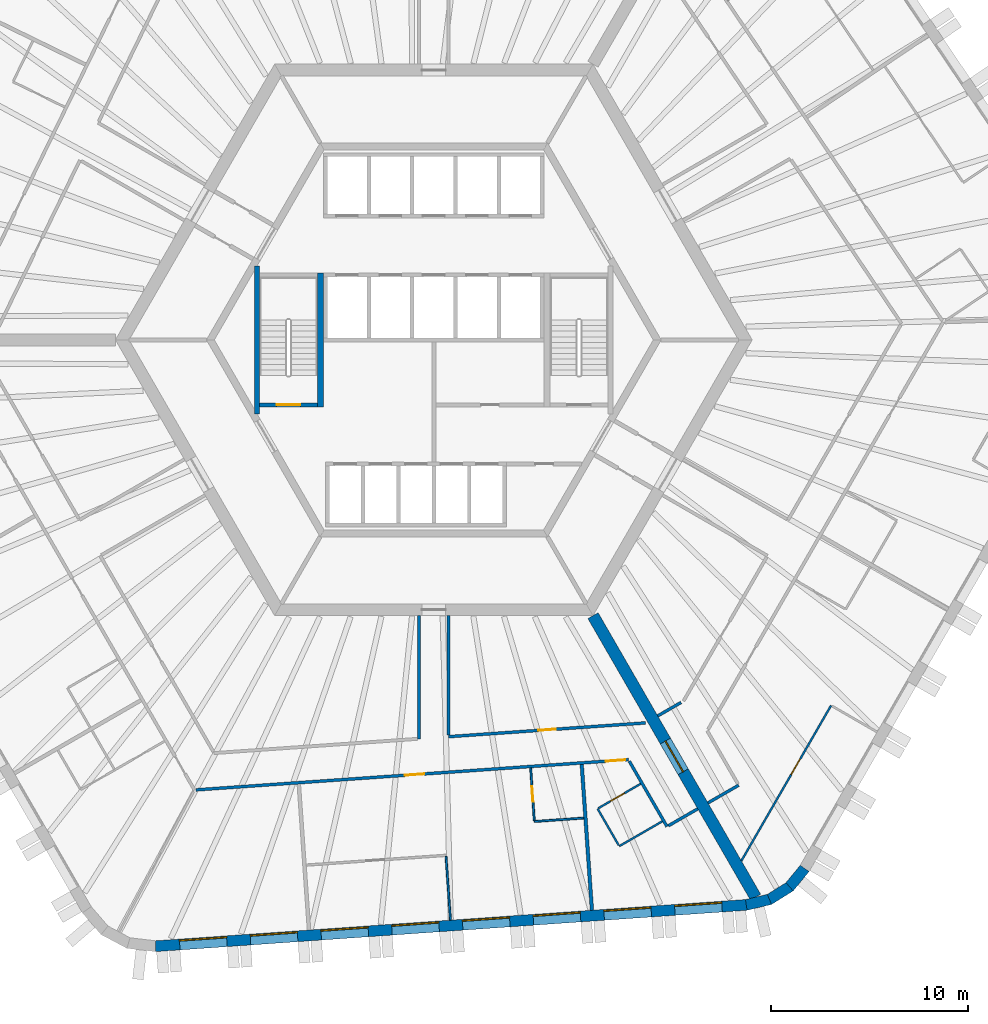
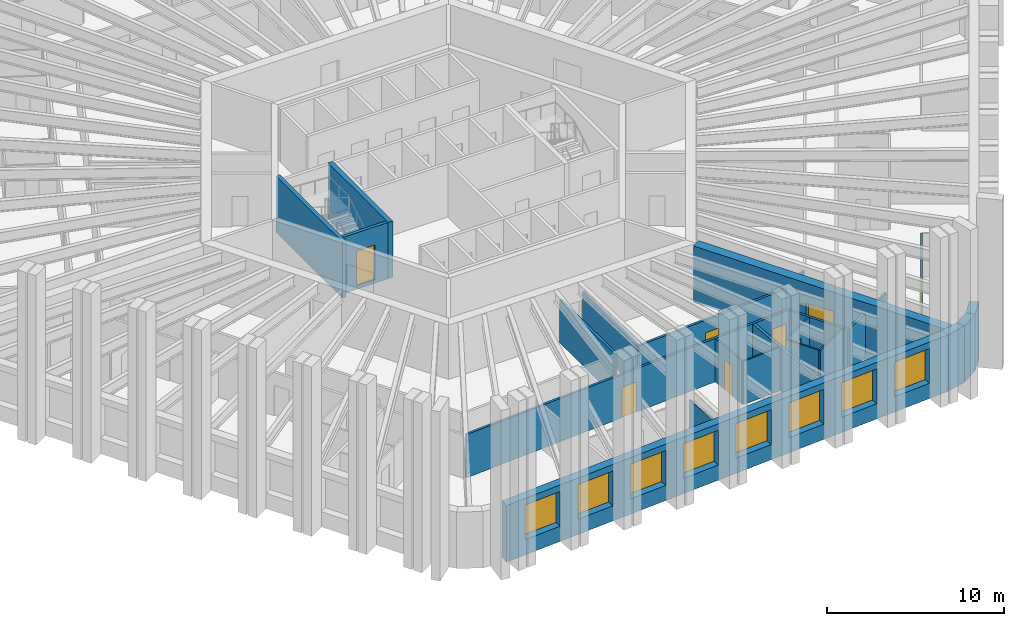
# One storey, part 4 of 13: 24 walls, 8 doors, 8 windows, 16 openings.
"""IFC4 building model written with IfcOpenShell, lengths in metres."""

import ifcopenshell
import ifcopenshell.guid

model = None  # the IFC model being written
_history = None  # IfcOwnerHistory: only IFC2X3 demands one
_inside = {}  # id of a spatial element -> (the spatial element, [elements in it])
_under = {}  # id of a project, library or spatial element -> (it, [spatial elements below it])
_declared = {}  # id of a project -> (the project, [libraries it declares])
_typed = {}  # id of a type object -> (the type object, [elements of that type])
_made_of = {}  # id of a material, layer set ... -> (it, [elements and type objects made of it])


def new_model(schema):
    """Start an empty IFC model of exactly this schema.

    Asked for "IFC4X3", IfcOpenShell would pick the latest addendum, in which some entities
    have other attributes; the version numbers below select the first issue.
    IFC2X3 requires an IfcOwnerHistory on every rooted entity: one is made here for all.
    """
    global model, _history
    if schema == "IFC4X3":
        model = ifcopenshell.file(schema_version=(4, 3, 0, 0))
    else:
        model = ifcopenshell.file(schema=schema)
    _inside.clear()
    _under.clear()
    _declared.clear()
    _typed.clear()
    _made_of.clear()
    _history = None
    if model.schema == "IFC2X3":
        org = make("IfcOrganization", Name="unknown")
        user = make(
            "IfcPersonAndOrganization",
            ThePerson=make("IfcPerson", FamilyName="unknown"),
            TheOrganization=org,
        )
        app = make(
            "IfcApplication",
            ApplicationDeveloper=org,
            Version="unknown",
            ApplicationFullName="unknown",
            ApplicationIdentifier="unknown",
        )
        _history = make(
            "IfcOwnerHistory",
            OwningUser=user,
            OwningApplication=app,
            ChangeAction="ADDED",
            CreationDate=0,
        )
    return model


def make(cls, **values):
    """One entity of the class cls with the attributes given. An attribute that is None is left unset."""
    return model.create_entity(
        cls, **{name: value for name, value in values.items() if value is not None}
    )


def rooted(cls, **values):
    """An entity with a GlobalId (a new one), such as an element, a storey or a relation."""
    return make(cls, GlobalId=ifcopenshell.guid.new(), OwnerHistory=_history, **values)


def si_unit(unit_type, name, prefix=None):
    """IfcSIUnit, for example si_unit("LENGTHUNIT", "METRE", prefix="MILLI")."""
    return make("IfcSIUnit", UnitType=unit_type, Prefix=prefix, Name=name)


def assignment(units):
    """IfcUnitAssignment: the units of a project."""
    return None if units is None else make("IfcUnitAssignment", Units=units)


def point(xyz):
    """IfcCartesianPoint."""
    return None if xyz is None else make("IfcCartesianPoint", Coordinates=xyz)


def direction(xyz):
    """IfcDirection."""
    return None if xyz is None else make("IfcDirection", DirectionRatios=xyz)


def frame(location, z_axis=None, x_axis=None):
    """IfcAxis2Placement3D, a coordinate frame: its origin and axes. An axis left out is left unset."""
    return make(
        "IfcAxis2Placement3D",
        Location=point(location),
        Axis=direction(z_axis),
        RefDirection=direction(x_axis),
    )


def frame_2d(location, x_axis=None):
    """IfcAxis2Placement2D, a coordinate frame in the plane: its origin and x axis."""
    return make(
        "IfcAxis2Placement2D", Location=point(location), RefDirection=direction(x_axis)
    )


def origin():
    """The frame at (0, 0, 0) with its axes left unset."""
    return frame((0.0, 0.0, 0.0))


def place(relative_to, where):
    """IfcLocalPlacement: puts the frame where relative to a parent placement (None: the world)."""
    return make(
        "IfcLocalPlacement", PlacementRelTo=relative_to, RelativePlacement=where
    )


def context(
    kind, dimensions, precision=None, world=None, true_north=None, identifier=None
):
    """IfcGeometricRepresentationContext, for example the 3D "Model" context."""
    return make(
        "IfcGeometricRepresentationContext",
        ContextIdentifier=identifier,
        ContextType=kind,
        CoordinateSpaceDimension=dimensions,
        Precision=precision,
        WorldCoordinateSystem=world,
        TrueNorth=true_north,
    )


def subcontext(parent, identifier, kind, view, scale=None):
    """IfcGeometricRepresentationSubContext, for example "Body" below "Model"."""
    return make(
        "IfcGeometricRepresentationSubContext",
        ContextIdentifier=identifier,
        ContextType=kind,
        ParentContext=parent,
        TargetScale=scale,
        TargetView=view,
    )


def project(units=None, contexts=None):
    """IfcProject with its units and contexts."""
    return rooted(
        "IfcProject",
        Name="project",
        RepresentationContexts=contexts,
        UnitsInContext=assignment(units),
    )


def spatial(cls, under=None, at=None, **own):
    """A site, building, storey or space (cls), placed at a placement, below another one or the project."""
    s = rooted(cls, ObjectPlacement=at, **own)
    if under is not None:
        _under.setdefault(under.id(), (under, []))[1].append(s)
    return s


def polyline(points):
    """IfcPolyline through the points."""
    return make("IfcPolyline", Points=[point(p) for p in points])


def profile(cls, at=None, kind="AREA", **sizes):
    """A parametric profile (cls). Its sizes go by their IFC names, for example OverallWidth=200.0."""
    return make(cls, ProfileType=kind, Position=at, **sizes)


def rectangle(**sizes):
    """IfcRectangleProfileDef."""
    return profile("IfcRectangleProfileDef", **sizes)


def outline(outer, holes=None, kind="AREA"):
    """IfcArbitraryClosedProfileDef: a profile drawn as a closed curve; with holes, ...WithVoids."""
    if holes is None:
        return make("IfcArbitraryClosedProfileDef", ProfileType=kind, OuterCurve=outer)
    return make(
        "IfcArbitraryProfileDefWithVoids",
        ProfileType=kind,
        OuterCurve=outer,
        InnerCurves=holes,
    )


def extrude(swept, where, along, depth):
    """IfcExtrudedAreaSolid: the profile swept, set in the frame where, extruded along a direction by depth."""
    return make(
        "IfcExtrudedAreaSolid",
        SweptArea=swept,
        Position=where,
        ExtrudedDirection=direction(along),
        Depth=depth,
    )


def shape(context_of_items, identifier, shape_type, items):
    """IfcShapeRepresentation: the items that make up one representation, for example the "Body"."""
    return make(
        "IfcShapeRepresentation",
        ContextOfItems=context_of_items,
        RepresentationIdentifier=identifier,
        RepresentationType=shape_type,
        Items=items,
    )


def material(Name=None, Category=None):
    """IfcMaterial."""
    return make("IfcMaterial", Name=Name, Category=Category)


def layer(
    of_material, thickness, ventilated=None, Name=None, Category=None, Priority=None
):
    """IfcMaterialLayer: one layer of a wall or slab, of a material (None: an air gap)."""
    return make(
        "IfcMaterialLayer",
        Material=of_material,
        LayerThickness=thickness,
        IsVentilated=ventilated,
        Name=Name,
        Category=Category,
        Priority=Priority,
    )


def layer_set(layers, Name=None):
    """IfcMaterialLayerSet."""
    return make("IfcMaterialLayerSet", MaterialLayers=layers, LayerSetName=Name)


def made_of(thing, what):
    """Note that an element or type object is made of a material, layer set ...; save() writes the relation."""
    if what is not None:
        _made_of.setdefault(what.id(), (what, []))[1].append(thing)
    return thing


def type_object(cls, material=None, **own):
    """A type object (cls), such as IfcWallType, which elements share."""
    return made_of(rooted(cls, **own), material)


def element(
    cls,
    number,
    at=None,
    inside=None,
    cuts=None,
    type_object=None,
    material=None,
    context=None,
    identifier="Body",
    shape_type=None,
    held_by="IfcProductDefinitionShape",
    body=None,
    shapes=None,
    **own,
):
    """One element of the class cls, such as IfcWall. Its Tag is "e" and its number.

    at: its placement. inside: the storey or other place that contains it. cuts: it is an
    opening in that element (IfcRelVoidsElement). A single representation is given by context,
    identifier, shape_type and body (its items); several are given by shapes. held_by: the class
    of the entity that holds the representations. save() writes the other relations.
    """
    e = rooted(cls, Tag="e%d" % number, ObjectPlacement=at, **own)
    if body is not None:
        shapes = [shape(context, identifier, shape_type, body)]
    if shapes is not None:
        e.Representation = make(held_by, Representations=shapes)
    if inside is not None:
        _inside.setdefault(inside.id(), (inside, []))[1].append(e)
    if cuts is not None:
        rooted(
            "IfcRelVoidsElement", RelatingBuildingElement=cuts, RelatedOpeningElement=e
        )
    if type_object is not None:
        _typed.setdefault(type_object.id(), (type_object, []))[1].append(e)
    return made_of(e, material)


def fill(opening, filler):
    """IfcRelFillsElement: the door or window that sits in an opening."""
    return rooted(
        "IfcRelFillsElement",
        RelatingOpeningElement=opening,
        RelatedBuildingElement=filler,
    )


def aggregate(whole, parts):
    """IfcRelAggregates: a whole, such as a stair, and the parts it consists of."""
    return rooted("IfcRelAggregates", RelatingObject=whole, RelatedObjects=parts)


def save(model, path):
    """Write the relations noted so far, then the file.

    IfcRelAggregates (storeys below a building ...), IfcRelContainedInSpatialStructure (elements
    in a storey), IfcRelDefinesByType, IfcRelAssociatesMaterial and IfcRelDeclares: one each for
    every whole, place, type object, material and project.
    """
    for whole, parts in _under.values():
        aggregate(whole, parts)
    for where, things in _inside.values():
        rooted(
            "IfcRelContainedInSpatialStructure",
            RelatedElements=things,
            RelatingStructure=where,
        )
    for kind, things in _typed.values():
        rooted("IfcRelDefinesByType", RelatedObjects=things, RelatingType=kind)
    for what, things in _made_of.values():
        rooted("IfcRelAssociatesMaterial", RelatedObjects=things, RelatingMaterial=what)
    for by, libraries in _declared.values():
        rooted("IfcRelDeclares", RelatingContext=by, RelatedDefinitions=libraries)
    model.write(path)


model = new_model("IFC4")

# Units and contexts
model_context = context("Model", 3, precision=1e-05, world=origin(), true_north=direction((0.0, 1.0)))
body_context = subcontext(model_context, "Body", "Model", "MODEL_VIEW")
ifc_project = project(units=[si_unit("LENGTHUNIT", "METRE"), si_unit("AREAUNIT", "SQUARE_METRE"), si_unit("VOLUMEUNIT", "CUBIC_METRE"), si_unit("PLANEANGLEUNIT", "RADIAN"), si_unit("MASSUNIT", "GRAM", prefix="KILO")], contexts=[model_context])

# Site, building, storey
site_placement = place(None, origin())
site = spatial("IfcSite", under=ifc_project, at=site_placement, CompositionType="ELEMENT")
building_placement = place(site_placement, origin())
building = spatial("IfcBuilding", under=site, at=building_placement, Name="Tarnside Tower", CompositionType="ELEMENT")
storey_placement = place(building_placement, frame((0.0, 0.0, 111.60009765625)))
storey = spatial("IfcBuildingStorey", under=building, at=storey_placement, Name="L25", CompositionType="ELEMENT", Elevation=111.60009765625)

# Wall
ifc_material_1 = material(Name="Gypsum board partition on steel studs", Category="steel")
ifc_layer_1 = layer(ifc_material_1, 0.10009765625)
ifc_layer_set_1 = layer_set([ifc_layer_1], Name="Bathroom wall 100")
wall_type_1 = type_object("IfcWallType", Name="Bathroom wall 100", PredefinedType="PARTITIONING", material=ifc_layer_set_1)
wall_1_placement = place(storey_placement, frame((7.611083984375, -24.2783203125, 0.0), z_axis=(0.0, 0.0, 1.0), x_axis=(-0.997565196586, -0.069740078583, 0.0)))
element("IfcWall", 1, at=wall_1_placement, inside=storey, type_object=wall_type_1, Name="Bathroom wall 08116", PredefinedType="PARTITIONING", context=body_context, shape_type="SweptSolid", body=[
    extrude(rectangle(XDim=2.510009765625, YDim=0.10009765625, at=frame_2d((1.2548828125, 0.0))), origin(), (0.0, 0.0, 1.0), 2.98779296875),
])

# Wall, opening, door
wall_2_placement = place(storey_placement, frame((5.103515625, -24.4033203125, 0.0), z_axis=(0.0, 0.0, 1.0), x_axis=(-0.069729221413, 0.997565955554, 0.0)))
wall_2 = element("IfcWall", 2, at=wall_2_placement, inside=storey, type_object=wall_type_1, Name="Bathroom wall 08117", PredefinedType="PARTITIONING", context=body_context, shape_type="SweptSolid", body=[
    extrude(rectangle(XDim=2.675048828125, YDim=0.10009765625, at=frame_2d((1.33740234375, 0.0))), origin(), (0.0, 0.0, 1.0), 2.98779296875),
])
opening_1_placement = place(wall_2_placement, frame((0.949951171875, 0.0, 0.0)))
opening_1 = element("IfcOpeningElement", 3, at=opening_1_placement, cuts=wall_2, Name="Opening D-B1", PredefinedType="OPENING", context=body_context, shape_type="SweptSolid", body=[
    extrude(rectangle(XDim=0.800048828125, YDim=2.10009765625, at=frame_2d((0.39990234375, 1.050048828125))), frame((0.0, 0.06005859375, 0.0), z_axis=(0.0, -1.0, 0.0), x_axis=(1.0, 0.0, 0.0)), (0.0, 0.0, 1.0), 0.1201171875),
])
ifc_material_2 = material(Name="Timber door leaf", Category="wood")
door_type_1 = type_object("IfcDoorType", Name="Bathroom door 800", OperationType="NOTDEFINED", PredefinedType="DOOR", material=ifc_material_2)
door_1_placement = place(opening_1_placement, origin())
door_1 = element("IfcDoor", 4, at=door_1_placement, inside=storey, type_object=door_type_1, Name="Bathroom door 08024", OperationType="SINGLE_SWING_RIGHT", OverallHeight=2.10009765625, OverallWidth=0.800048828125, PredefinedType="DOOR", context=body_context, shape_type="SweptSolid", body=[
    extrude(rectangle(XDim=0.800048828125, YDim=2.10009765625, at=frame_2d((0.39990234375, 1.050048828125))), frame((0.0, 0.02490234375, 0.0), z_axis=(0.0, -1.0, 0.0), x_axis=(1.0, 0.0, 0.0)), (0.0, 0.0, 1.0), 0.050048828125),
])
fill(opening_1, door_1)

# Walls
wall_3_placement = place(storey_placement, frame((11.6015625, -24.444580078125, 0.0), z_axis=(0.0, 0.0, 1.0), x_axis=(-0.866039067339, -0.499976333282, 0.0)))
element("IfcWall", 5, at=wall_3_placement, inside=storey, type_object=wall_type_1, Name="Bathroom wall 08122", PredefinedType="PARTITIONING", context=body_context, shape_type="SweptSolid", body=[
    extrude(rectangle(XDim=2.52490234375, YDim=0.10009765625, at=frame_2d((1.262451171875, 0.0))), origin(), (0.0, 0.0, 1.0), 2.98779296875),
])
wall_4_placement = place(storey_placement, frame((9.389892578125, -25.66357421875, 0.0), z_axis=(0.0, 0.0, 1.0), x_axis=(-0.500010803666, 0.866019166195, 0.0)))
element("IfcWall", 6, at=wall_4_placement, inside=storey, type_object=wall_type_1, Name="Bathroom wall 08123", PredefinedType="PARTITIONING", context=body_context, shape_type="SweptSolid", body=[
    extrude(rectangle(XDim=2.14990234375, YDim=0.10009765625, at=frame_2d((1.074951171875, 0.0))), origin(), (0.0, 0.0, 1.0), 2.98779296875),
])

# Wall, opening, door
wall_5_placement = place(storey_placement, frame((8.358154296875, -23.776611328125, 0.0), z_axis=(0.0, 0.0, 1.0), x_axis=(0.86604923931, 0.499958713387, 0.0)))
wall_5 = element("IfcWall", 7, at=wall_5_placement, inside=storey, type_object=wall_type_1, Name="Bathroom wall 08124", PredefinedType="PARTITIONING", context=body_context, shape_type="SweptSolid", body=[
    extrude(rectangle(XDim=2.474853515625, YDim=0.10009765625, at=frame_2d((1.2373046875, 0.0))), origin(), (0.0, 0.0, 1.0), 2.98779296875),
])
opening_2_placement = place(wall_5_placement, frame((0.719970703125, 0.0, 0.0)))
opening_2 = element("IfcOpeningElement", 8, at=opening_2_placement, cuts=wall_5, Name="Opening D-B1", PredefinedType="OPENING", context=body_context, shape_type="SweptSolid", body=[
    extrude(rectangle(XDim=0.800048828125, YDim=2.10009765625, at=frame_2d((0.39990234375, 1.050048828125))), frame((0.0, 0.06005859375, 0.0), z_axis=(0.0, -1.0, 0.0), x_axis=(1.0, 0.0, 0.0)), (0.0, 0.0, 1.0), 0.1201171875),
])
door_2_placement = place(opening_2_placement, origin())
door_2 = element("IfcDoor", 9, at=door_2_placement, inside=storey, type_object=door_type_1, Name="Bathroom door 08027", OperationType="SINGLE_SWING_RIGHT", OverallHeight=2.10009765625, OverallWidth=0.800048828125, PredefinedType="DOOR", context=body_context, shape_type="SweptSolid", body=[
    extrude(rectangle(XDim=0.800048828125, YDim=2.10009765625, at=frame_2d((0.39990234375, 1.050048828125))), frame((0.0, 0.02490234375, 0.0), z_axis=(0.0, -1.0, 0.0), x_axis=(1.0, 0.0, 0.0)), (0.0, 0.0, 1.0), 0.050048828125),
])
fill(opening_2, door_2)

ifc_material_3 = material(Name="Concrete C80/95", Category="concrete")
ifc_layer_2 = layer(ifc_material_3, 0.60009765625)
ifc_layer_set_2 = layer_set([ifc_layer_2], Name="Core wall Z1 600 C80/95")
wall_type_2 = type_object("IfcWallType", Name="Core wall Z1 600 C80/95", PredefinedType="SHEAR", material=ifc_layer_set_2)
wall_6_placement = place(storey_placement, frame((8.0830078125, -14.0, -0.150146484375), z_axis=(0.0, 0.0, 1.0), x_axis=(0.499997680643, -0.866026742862, 0.0)))
wall_6 = element("IfcWall", 10, at=wall_6_placement, inside=storey, type_object=wall_type_2, Name="L25 spine wall 3", PredefinedType="SHEAR", context=body_context, shape_type="SweptSolid", body=[
    extrude(rectangle(XDim=16.5087890625, YDim=0.60009765625, at=frame_2d((8.25439453125, 0.0))), origin(), (0.0, 0.0, 1.0), 3.900146484375),
])
opening_3_placement = place(wall_6_placement, frame((7.3544921875, 0.0, 0.14990234375)))
opening_3 = element("IfcOpeningElement", 11, at=opening_3_placement, cuts=wall_6, Name="Opening CD-SPN", PredefinedType="OPENING", context=body_context, shape_type="SweptSolid", body=[
    extrude(rectangle(XDim=1.800048828125, YDim=2.39990234375, at=frame_2d((0.89990234375, 1.199951171875))), frame((0.0, 0.31005859375, 0.0), z_axis=(0.0, -1.0, 0.0), x_axis=(1.0, 0.0, 0.0)), (0.0, 0.0, 1.0), 0.6201171875),
])
ifc_material_4 = material(Name="Steel fire door", Category="steel")
door_type_2 = type_object("IfcDoorType", Name="Spine passage double door FD60 1800x2400", OperationType="NOTDEFINED", PredefinedType="DOOR", material=ifc_material_4)
door_3_placement = place(opening_3_placement, origin())
door_3 = element("IfcDoor", 12, at=door_3_placement, inside=storey, type_object=door_type_2, Name="L25 spine passage door 3", OperationType="DOUBLE_DOOR_SINGLE_SWING", OverallHeight=2.39990234375, OverallWidth=1.800048828125, PredefinedType="DOOR", context=body_context, shape_type="SweptSolid", body=[
    extrude(rectangle(XDim=1.800048828125, YDim=2.39990234375, at=frame_2d((0.89990234375, 1.199951171875))), frame((0.0, 0.02490234375, 0.0), z_axis=(0.0, -1.0, 0.0), x_axis=(1.0, 0.0, 0.0)), (0.0, 0.0, 1.0), 0.050048828125),
])
fill(opening_3, door_3)

# Wall, openings, doors
ifc_layer_3 = layer(ifc_material_1, 0.14990234375)
ifc_layer_set_3 = layer_set([ifc_layer_3], Name="Corridor wall 150 EI 60")
wall_type_3 = type_object("IfcWallType", Name="Corridor wall 150 EI 60", PredefinedType="PARTITIONING", material=ifc_layer_set_3)
wall_7_placement = place(storey_placement, frame((-12.068115234375, -22.847412109375, 0.0), z_axis=(0.0, 0.0, 1.0), x_axis=(0.99756437486, 0.069751831595, 0.0)))
wall_7 = element("IfcWall", 13, at=wall_7_placement, inside=storey, type_object=wall_type_3, Name="Corridor wall 08033", PredefinedType="PARTITIONING", context=body_context, shape_type="SweptSolid", body=[
    extrude(rectangle(XDim=22.001708984375, YDim=0.14990234375, at=frame_2d((11.0009765625, 0.0))), origin(), (0.0, 0.0, 1.0), 2.98779296875),
])
opening_4_placement = place(wall_7_placement, frame((10.621337890625, 0.0, 0.0)))
opening_4 = element("IfcOpeningElement", 14, at=opening_4_placement, cuts=wall_7, Name="Opening D-E1", PredefinedType="OPENING", context=body_context, shape_type="SweptSolid", body=[
    extrude(rectangle(XDim=1.0, YDim=2.10009765625, at=frame_2d((0.5, 1.050048828125))), frame((0.0, 0.0849609375, 0.0), z_axis=(0.0, -1.0, 0.0), x_axis=(1.0, 0.0, 0.0)), (0.0, 0.0, 1.0), 0.169921875),
])
opening_5_placement = place(wall_7_placement, frame((20.851806640625, 0.0, 0.0)))
opening_5 = element("IfcOpeningElement", 15, at=opening_5_placement, cuts=wall_7, Name="Opening D-E1", PredefinedType="OPENING", context=body_context, shape_type="SweptSolid", body=[
    extrude(rectangle(XDim=1.0, YDim=2.10009765625, at=frame_2d((0.5, 1.050048828125))), frame((0.0, 0.0849609375, 0.0), z_axis=(0.0, -1.0, 0.0), x_axis=(1.0, 0.0, 0.0)), (0.0, 0.0, 1.0), 0.169921875),
])
door_type_3 = type_object("IfcDoorType", Name="Unit entrance door 1000 FD30S", OperationType="NOTDEFINED", PredefinedType="DOOR", material=ifc_material_2)
door_4_placement = place(opening_4_placement, origin())
door_4 = element("IfcDoor", 16, at=door_4_placement, inside=storey, type_object=door_type_3, Name="Unit door 08023", OperationType="SINGLE_SWING_RIGHT", OverallHeight=2.10009765625, OverallWidth=1.0, PredefinedType="DOOR", context=body_context, shape_type="SweptSolid", body=[
    extrude(rectangle(XDim=1.0, YDim=2.10009765625, at=frame_2d((0.5, 1.050048828125))), frame((0.0, 0.02490234375, 0.0), z_axis=(0.0, -1.0, 0.0), x_axis=(1.0, 0.0, 0.0)), (0.0, 0.0, 1.0), 0.050048828125),
])
fill(opening_4, door_4)
door_5_placement = place(opening_5_placement, origin())
door_5 = element("IfcDoor", 17, at=door_5_placement, inside=storey, type_object=door_type_3, Name="Unit door 08026", OperationType="SINGLE_SWING_LEFT", OverallHeight=2.10009765625, OverallWidth=1.0, PredefinedType="DOOR", context=body_context, shape_type="SweptSolid", body=[
    extrude(rectangle(XDim=1.0, YDim=2.10009765625, at=frame_2d((0.5, 1.050048828125))), frame((0.0, 0.02490234375, 0.0), z_axis=(0.0, -1.0, 0.0), x_axis=(1.0, 0.0, 0.0)), (0.0, 0.0, 1.0), 0.050048828125),
])
fill(opening_5, door_5)

# Walls
wall_8_placement = place(storey_placement, frame((9.921630859375, -21.385009765625, 0.0), z_axis=(0.0, 0.0, 1.0), x_axis=(0.500023335103, -0.866011930837, 0.0)))
element("IfcWall", 18, at=wall_8_placement, inside=storey, type_object=wall_type_3, Name="Corridor wall 08037", PredefinedType="PARTITIONING", context=body_context, shape_type="SweptSolid", body=[
    extrude(rectangle(XDim=3.839599609375, YDim=0.14990234375, at=frame_2d((1.919921875, 0.0))), origin(), (0.0, 0.0, 1.0), 2.98779296875),
])
wall_9_placement = place(storey_placement, frame((11.906494140625, -24.672607421875, 0.0), z_axis=(0.0, 0.0, 1.0), x_axis=(0.866013532718, 0.500020560727, 0.0)))
element("IfcWall", 19, at=wall_9_placement, inside=storey, type_object=wall_type_3, Name="Corridor wall 08039", PredefinedType="PARTITIONING", context=body_context, shape_type="SweptSolid", body=[
    extrude(rectangle(XDim=1.72509765625, YDim=0.14990234375, at=frame_2d((0.862548828125, 0.0))), origin(), (0.0, 0.0, 1.0), 2.98779296875),
])
wall_10_placement = place(storey_placement, frame((-0.75, -14.0, 0.0), z_axis=(0.0, 0.0, 1.0), x_axis=(0.0, -1.0, 0.0)))
element("IfcWall", 20, at=wall_10_placement, inside=storey, type_object=wall_type_3, Name="Corridor wall 08044", PredefinedType="PARTITIONING", context=body_context, shape_type="SweptSolid", body=[
    extrude(rectangle(XDim=6.251708984375, YDim=0.14990234375, at=frame_2d((3.1259765625, 0.0))), origin(), (0.0, 0.0, 1.0), 2.98779296875),
])

# Wall, opening, door
wall_11_placement = place(storey_placement, frame((10.75439453125, -19.447265625, 0.0), z_axis=(0.0, 0.0, 1.0), x_axis=(-0.997564830966, -0.069745308232, 0.0)))
wall_11 = element("IfcWall", 21, at=wall_11_placement, inside=storey, type_object=wall_type_3, Name="Corridor wall 08048", PredefinedType="PARTITIONING", context=body_context, shape_type="SweptSolid", body=[
    extrude(rectangle(XDim=10.02880859375, YDim=0.14990234375, at=frame_2d((5.014404296875, 0.0))), origin(), (0.0, 0.0, 1.0), 2.98779296875),
])
opening_6_placement = place(wall_11_placement, frame((4.564453125, 0.0, 0.0)))
opening_6 = element("IfcOpeningElement", 22, at=opening_6_placement, cuts=wall_11, Name="Opening D-S1", PredefinedType="OPENING", context=body_context, shape_type="SweptSolid", body=[
    extrude(rectangle(XDim=0.89990234375, YDim=2.10009765625, at=frame_2d((0.449951171875, 1.050048828125))), frame((0.0, 0.0849609375, 0.0), z_axis=(0.0, -1.0, 0.0), x_axis=(1.0, 0.0, 0.0)), (0.0, 0.0, 1.0), 0.169921875),
])
door_type_4 = type_object("IfcDoorType", Name="Service room door 900 FD30S", OperationType="NOTDEFINED", PredefinedType="DOOR", material=ifc_material_2)
door_6_placement = place(opening_6_placement, origin())
door_6 = element("IfcDoor", 23, at=door_6_placement, inside=storey, type_object=door_type_4, Name="Service door 08045", OperationType="SINGLE_SWING_LEFT", OverallHeight=2.10009765625, OverallWidth=0.89990234375, PredefinedType="DOOR", context=body_context, shape_type="SweptSolid", body=[
    extrude(rectangle(XDim=0.89990234375, YDim=2.10009765625, at=frame_2d((0.449951171875, 1.050048828125))), frame((0.0, 0.02490234375, 0.0), z_axis=(0.0, -1.0, 0.0), x_axis=(1.0, 0.0, 0.0)), (0.0, 0.0, 1.0), 0.050048828125),
])
fill(opening_6, door_6)

# Walls
wall_12_placement = place(storey_placement, frame((0.75, -20.071533203125, 0.0), z_axis=(0.0, 0.0, 1.0), x_axis=(0.0, 1.0, 0.0)))
element("IfcWall", 24, at=wall_12_placement, inside=storey, type_object=wall_type_3, Name="Corridor wall 08049", PredefinedType="PARTITIONING", context=body_context, shape_type="SweptSolid", body=[
    extrude(rectangle(XDim=6.071533203125, YDim=0.14990234375, at=frame_2d((3.03564453125, 0.0))), origin(), (0.0, 0.0, 1.0), 2.98779296875),
])
wall_13_placement = place(storey_placement, frame((13.919921875, -23.510009765625, 0.0), z_axis=(0.0, 0.0, 1.0), x_axis=(0.866047807691, 0.499961193289, 0.0)))
element("IfcWall", 25, at=wall_13_placement, inside=storey, type_object=wall_type_3, Name="Corridor wall 08050", PredefinedType="PARTITIONING", context=body_context, shape_type="SweptSolid", body=[
    extrude(rectangle(XDim=1.800048828125, YDim=0.14990234375, at=frame_2d((0.89990234375, 0.0))), origin(), (0.0, 0.0, 1.0), 2.98779296875),
])
wall_14_placement = place(storey_placement, frame((12.552001953125, -18.409423828125, 0.0), z_axis=(0.0, 0.0, 1.0), x_axis=(-0.866078408764, -0.499908181442, 0.0)))
element("IfcWall", 26, at=wall_14_placement, inside=storey, type_object=wall_type_3, Name="Corridor wall 08068", PredefinedType="PARTITIONING", context=body_context, shape_type="SweptSolid", body=[
    extrude(rectangle(XDim=1.365478515625, YDim=0.14990234375, at=frame_2d((0.6826171875, 0.0))), origin(), (0.0, 0.0, 1.0), 2.98779296875),
])
ifc_layer_4 = layer(ifc_material_1, 0.179931640625)
ifc_layer_set_4 = layer_set([ifc_layer_4], Name="Demising wall 180 EI 60")
wall_type_4 = type_object("IfcWallType", Name="Demising wall 180 EI 60", PredefinedType="PARTITIONING", material=ifc_layer_set_4)
wall_15_placement = place(storey_placement, frame((8.028564453125, -28.96044921875, 0.0), z_axis=(0.0, 0.0, 1.0), x_axis=(-0.069739801019, 0.99756521599, 0.0)))
element("IfcWall", 27, at=wall_15_placement, inside=storey, type_object=wall_type_4, Name="Demising wall 08120", PredefinedType="PARTITIONING", context=body_context, shape_type="SweptSolid", body=[
    extrude(rectangle(XDim=7.425048828125, YDim=0.179931640625, at=frame_2d((3.71240234375, 0.0))), origin(), (0.0, 0.0, 1.0), 2.98779296875),
])

# Wall, opening, door
ifc_material_5 = material(Name="Concrete C40/50", Category="concrete")
ifc_layer_5 = layer(ifc_material_5, 0.199951171875)
ifc_layer_set_5 = layer_set([ifc_layer_5], Name="Lift shaft wall 200 C40/50")
wall_type_5 = type_object("IfcWallType", Name="Lift shaft wall 200 C40/50", PredefinedType="SHEAR", material=ifc_layer_set_5)
wall_16_placement = place(storey_placement, frame((-8.85009765625, -3.300048828125, -0.25), z_axis=(0.0, 0.0, 1.0), x_axis=(1.0, 0.0, 0.0)))
wall_16 = element("IfcWall", 28, at=wall_16_placement, inside=storey, type_object=wall_type_5, Name="L25 stair 2 enclosure cap wall s", PredefinedType="SHEAR", context=body_context, shape_type="SweptSolid", body=[
    extrude(rectangle(XDim=2.9501953125, YDim=0.199951171875, at=frame_2d((1.47509765625, 0.0))), origin(), (0.0, 0.0, 1.0), 3.89990234375),
])
opening_7_placement = place(wall_16_placement, frame((0.875, 0.0, 0.25)))
opening_7 = element("IfcOpeningElement", 29, at=opening_7_placement, cuts=wall_16, Name="Opening CD-STR", PredefinedType="OPENING", context=body_context, shape_type="SweptSolid", body=[
    extrude(rectangle(XDim=1.199951171875, YDim=2.39990234375, at=frame_2d((0.60009765625, 1.199951171875))), frame((0.0, 0.10986328125, 0.0), z_axis=(0.0, -1.0, 0.0), x_axis=(1.0, 0.0, 0.0)), (0.0, 0.0, 1.0), 0.219970703125),
])
door_type_5 = type_object("IfcDoorType", Name="Stair door FD60S 1200x2400", OperationType="NOTDEFINED", PredefinedType="DOOR", material=ifc_material_4)
door_7_placement = place(opening_7_placement, origin())
door_7 = element("IfcDoor", 30, at=door_7_placement, inside=storey, type_object=door_type_5, Name="L25 stair 2 door", OperationType="SINGLE_SWING_LEFT", OverallHeight=2.39990234375, OverallWidth=1.199951171875, PredefinedType="DOOR", context=body_context, shape_type="SweptSolid", body=[
    extrude(rectangle(XDim=1.199951171875, YDim=2.39990234375, at=frame_2d((0.60009765625, 1.199951171875))), frame((0.0, 0.02490234375, 0.0), z_axis=(0.0, -1.0, 0.0), x_axis=(1.0, 0.0, 0.0)), (0.0, 0.0, 1.0), 0.050048828125),
])
fill(opening_7, door_7)

# Wall
ifc_layer_6 = layer(ifc_material_1, 0.10009765625)
ifc_layer_set_6 = layer_set([ifc_layer_6], Name="Partition 100")
wall_type_6 = type_object("IfcWallType", Name="Partition 100", PredefinedType="PARTITIONING", material=ifc_layer_set_6)
wall_17_placement = place(storey_placement, frame((0.619384765625, -26.220703125, 0.0), z_axis=(0.0, 0.0, 1.0), x_axis=(0.069789506462, -0.997561739838, 0.0)))
element("IfcWall", 31, at=wall_17_placement, inside=storey, type_object=wall_type_6, Name="Partition wall 08119", PredefinedType="PARTITIONING", context=body_context, shape_type="SweptSolid", body=[
    extrude(rectangle(XDim=3.249755859375, YDim=0.10009765625, at=frame_2d((1.625, 0.0))), origin(), (0.0, 0.0, 1.0), 2.98779296875),
])

# Wall, opening, door
wall_18_placement = place(storey_placement, frame((15.617431640625, -26.449951171875, 0.0), z_axis=(0.0, 0.0, 1.0), x_axis=(0.499984630745, 0.866034277046, 0.0)))
wall_18 = element("IfcWall", 32, at=wall_18_placement, inside=storey, type_object=wall_type_6, Name="Partition wall 08127", PredefinedType="PARTITIONING", context=body_context, shape_type="SweptSolid", body=[
    extrude(rectangle(XDim=9.108642578125, YDim=0.10009765625, at=frame_2d((4.55419921875, 0.0))), origin(), (0.0, 0.0, 1.0), 2.98779296875),
])
opening_8_placement = place(wall_18_placement, frame((5.058837890625, 0.0, 0.0)))
opening_8 = element("IfcOpeningElement", 33, at=opening_8_placement, cuts=wall_18, Name="Opening D-I1", PredefinedType="OPENING", context=body_context, shape_type="SweptSolid", body=[
    extrude(rectangle(XDim=0.89990234375, YDim=2.10009765625, at=frame_2d((0.449951171875, 1.050048828125))), frame((0.0, 0.06005859375, 0.0), z_axis=(0.0, -1.0, 0.0), x_axis=(1.0, 0.0, 0.0)), (0.0, 0.0, 1.0), 0.1201171875),
])
door_type_6 = type_object("IfcDoorType", Name="Internal door 900", OperationType="NOTDEFINED", PredefinedType="DOOR", material=ifc_material_2)
door_8_placement = place(opening_8_placement, origin())
door_8 = element("IfcDoor", 34, at=door_8_placement, inside=storey, type_object=door_type_6, Name="Internal door 08030", OperationType="SINGLE_SWING_LEFT", OverallHeight=2.10009765625, OverallWidth=0.89990234375, PredefinedType="DOOR", context=body_context, shape_type="SweptSolid", body=[
    extrude(rectangle(XDim=0.89990234375, YDim=2.10009765625, at=frame_2d((0.449951171875, 1.050048828125))), frame((0.0, 0.02490234375, 0.0), z_axis=(0.0, -1.0, 0.0), x_axis=(1.0, 0.0, 0.0)), (0.0, 0.0, 1.0), 0.050048828125),
])
fill(opening_8, door_8)

# Walls
ifc_layer_7 = layer(ifc_material_5, 0.25)
ifc_layer_set_7 = layer_set([ifc_layer_7], Name="Stair enclosure wall 250 C40/50")
wall_type_7 = type_object("IfcWallType", Name="Stair enclosure wall 250 C40/50", PredefinedType="SHEAR", material=ifc_layer_set_7)
wall_19_placement = place(storey_placement, frame((-8.97509765625, -3.7548828125, -0.25), z_axis=(0.0, 0.0, 1.0), x_axis=(0.0, 1.0, 0.0)))
element("IfcWall", 35, at=wall_19_placement, inside=storey, type_object=wall_type_7, Name="L25 stair 2 enclosure wall outer", PredefinedType="SHEAR", context=body_context, shape_type="SweptSolid", body=[
    extrude(rectangle(XDim=7.509765625, YDim=0.25, at=frame_2d((3.7548828125, 0.0))), origin(), (0.0, 0.0, 1.0), 3.89990234375),
])
ifc_layer_8 = layer(ifc_material_5, 0.300048828125)
ifc_layer_set_8 = layer_set([ifc_layer_8], Name="Stair enclosure wall 300 C40/50")
wall_type_8 = type_object("IfcWallType", Name="Stair enclosure wall 300 C40/50", PredefinedType="SHEAR", material=ifc_layer_set_8)
wall_20_placement = place(storey_placement, frame((-5.75, -3.39990234375, -0.25), z_axis=(0.0, 0.0, 1.0), x_axis=(0.0, 1.0, 0.0)))
element("IfcWall", 36, at=wall_20_placement, inside=storey, type_object=wall_type_8, Name="L25 stair 2 enclosure wall inner", PredefinedType="SHEAR", context=body_context, shape_type="SweptSolid", body=[
    extrude(rectangle(XDim=6.7998046875, YDim=0.300048828125, at=frame_2d((3.39990234375, 0.0))), origin(), (0.0, 0.0, 1.0), 3.89990234375),
])

# Wall, openings, windows
ifc_material_6 = material(Name="Facing brick", Category="masonry")
ifc_layer_9 = layer(ifc_material_6, 0.10205078125)
ifc_material_7 = material(Name="Concrete C60/75 precast", Category="concrete")
ifc_layer_10 = layer(ifc_material_7, 0.347900390625)
ifc_material_8 = material(Name="Mineral wool insulation")
ifc_layer_11 = layer(ifc_material_8, 0.10009765625)
ifc_layer_set_9 = layer_set([ifc_layer_9, ifc_layer_10, ifc_layer_11], Name="Tube wall 550 brick faced")
wall_type_9 = type_object("IfcWallType", Name="Tube wall 550 brick faced", PredefinedType="SOLIDWALL", material=ifc_layer_set_9)
wall_21_placement = place(storey_placement, frame((-14.133544921875, -30.785888671875, -0.150146484375), z_axis=(0.0, 0.0, 1.0), x_axis=(0.997564037441, 0.069756657061, 0.0)))
wall_21 = element("IfcWall", 37, at=wall_21_placement, inside=storey, type_object=wall_type_9, Name="Tube wall L25 F4 flush 12", PredefinedType="SOLIDWALL", context=body_context, shape_type="SweptSolid", body=[
    extrude(outline(polyline([(-0.025634765625, -0.27490234375), (30.093505859375, -0.27490234375), (30.048583984375, 0.27490234375), (0.025634765625, 0.27490234375), (-0.025634765625, -0.27490234375)])), origin(), (0.0, 0.0, 1.0), 3.900146484375),
])
opening_9_placement = place(wall_21_placement, frame((1.235595703125, 0.0, 1.050048828125)))
opening_9 = element("IfcOpeningElement", 38, at=opening_9_placement, cuts=wall_21, Name="Opening WH", PredefinedType="OPENING", context=body_context, shape_type="SweptSolid", body=[
    extrude(rectangle(XDim=2.39990234375, YDim=2.39990234375, at=frame_2d((1.199951171875, 1.199951171875))), frame((0.0, 0.28515625, 0.0), z_axis=(0.0, -1.0, 0.0), x_axis=(1.0, 0.0, 0.0)), (0.0, 0.0, 1.0), 0.570068359375),
])
opening_10_placement = place(wall_21_placement, frame((4.83544921875, 0.0, 1.050048828125)))
opening_10 = element("IfcOpeningElement", 39, at=opening_10_placement, cuts=wall_21, Name="Opening WH", PredefinedType="OPENING", context=body_context, shape_type="SweptSolid", body=[
    extrude(rectangle(XDim=2.39990234375, YDim=2.39990234375, at=frame_2d((1.199951171875, 1.199951171875))), frame((0.0, 0.28515625, 0.0), z_axis=(0.0, -1.0, 0.0), x_axis=(1.0, 0.0, 0.0)), (0.0, 0.0, 1.0), 0.570068359375),
])
opening_11_placement = place(wall_21_placement, frame((8.435546875, 0.0, 1.050048828125)))
opening_11 = element("IfcOpeningElement", 40, at=opening_11_placement, cuts=wall_21, Name="Opening WH", PredefinedType="OPENING", context=body_context, shape_type="SweptSolid", body=[
    extrude(rectangle(XDim=2.39990234375, YDim=2.39990234375, at=frame_2d((1.199951171875, 1.199951171875))), frame((0.0, 0.28515625, 0.0), z_axis=(0.0, -1.0, 0.0), x_axis=(1.0, 0.0, 0.0)), (0.0, 0.0, 1.0), 0.570068359375),
])
opening_12_placement = place(wall_21_placement, frame((12.035400390625, 0.0, 1.050048828125)))
opening_12 = element("IfcOpeningElement", 41, at=opening_12_placement, cuts=wall_21, Name="Opening WH", PredefinedType="OPENING", context=body_context, shape_type="SweptSolid", body=[
    extrude(rectangle(XDim=2.39990234375, YDim=2.39990234375, at=frame_2d((1.199951171875, 1.199951171875))), frame((0.0, 0.28515625, 0.0), z_axis=(0.0, -1.0, 0.0), x_axis=(1.0, 0.0, 0.0)), (0.0, 0.0, 1.0), 0.570068359375),
])
opening_13_placement = place(wall_21_placement, frame((15.635498046875, 0.0, 1.050048828125)))
opening_13 = element("IfcOpeningElement", 42, at=opening_13_placement, cuts=wall_21, Name="Opening WH", PredefinedType="OPENING", context=body_context, shape_type="SweptSolid", body=[
    extrude(rectangle(XDim=2.39990234375, YDim=2.39990234375, at=frame_2d((1.199951171875, 1.199951171875))), frame((0.0, 0.28515625, 0.0), z_axis=(0.0, -1.0, 0.0), x_axis=(1.0, 0.0, 0.0)), (0.0, 0.0, 1.0), 0.570068359375),
])
opening_14_placement = place(wall_21_placement, frame((19.235595703125, 0.0, 1.050048828125)))
opening_14 = element("IfcOpeningElement", 43, at=opening_14_placement, cuts=wall_21, Name="Opening WH", PredefinedType="OPENING", context=body_context, shape_type="SweptSolid", body=[
    extrude(rectangle(XDim=2.39990234375, YDim=2.39990234375, at=frame_2d((1.199951171875, 1.199951171875))), frame((0.0, 0.28515625, 0.0), z_axis=(0.0, -1.0, 0.0), x_axis=(1.0, 0.0, 0.0)), (0.0, 0.0, 1.0), 0.570068359375),
])
opening_15_placement = place(wall_21_placement, frame((22.83544921875, 0.0, 1.050048828125)))
opening_15 = element("IfcOpeningElement", 44, at=opening_15_placement, cuts=wall_21, Name="Opening WH", PredefinedType="OPENING", context=body_context, shape_type="SweptSolid", body=[
    extrude(rectangle(XDim=2.39990234375, YDim=2.39990234375, at=frame_2d((1.199951171875, 1.199951171875))), frame((0.0, 0.28515625, 0.0), z_axis=(0.0, -1.0, 0.0), x_axis=(1.0, 0.0, 0.0)), (0.0, 0.0, 1.0), 0.570068359375),
])
opening_16_placement = place(wall_21_placement, frame((26.435546875, 0.0, 1.050048828125)))
opening_16 = element("IfcOpeningElement", 45, at=opening_16_placement, cuts=wall_21, Name="Opening WH", PredefinedType="OPENING", context=body_context, shape_type="SweptSolid", body=[
    extrude(rectangle(XDim=2.39990234375, YDim=2.39990234375, at=frame_2d((1.199951171875, 1.199951171875))), frame((0.0, 0.28515625, 0.0), z_axis=(0.0, -1.0, 0.0), x_axis=(1.0, 0.0, 0.0)), (0.0, 0.0, 1.0), 0.570068359375),
])
ifc_material_9 = material(Name="Aluminium-framed double glazing", Category="aluminium")
window_type = type_object("IfcWindowType", Name="Hotel window 2400 x 2400", PartitioningType="DOUBLE_PANEL_VERTICAL", PredefinedType="WINDOW", material=ifc_material_9)
window_1_placement = place(opening_9_placement, frame((0.0, 0.205078125, 0.0)))
window_1 = element("IfcWindow", 46, at=window_1_placement, inside=storey, type_object=window_type, Name="E.WN.L25.F4.00", OverallHeight=2.39990234375, OverallWidth=2.39990234375, PartitioningType="DOUBLE_PANEL_VERTICAL", PredefinedType="WINDOW", context=body_context, shape_type="SweptSolid", body=[
    extrude(rectangle(XDim=2.39990234375, YDim=2.39990234375, at=frame_2d((1.199951171875, 1.199951171875))), frame((0.0, 0.030029296875, 0.0), z_axis=(0.0, -1.0, 0.0), x_axis=(1.0, 0.0, 0.0)), (0.0, 0.0, 1.0), 0.06005859375),
])
fill(opening_9, window_1)
window_2_placement = place(opening_10_placement, frame((0.0, 0.205078125, 0.0)))
window_2 = element("IfcWindow", 47, at=window_2_placement, inside=storey, type_object=window_type, Name="E.WN.L25.F4.01", OverallHeight=2.39990234375, OverallWidth=2.39990234375, PartitioningType="DOUBLE_PANEL_VERTICAL", PredefinedType="WINDOW", context=body_context, shape_type="SweptSolid", body=[
    extrude(rectangle(XDim=2.39990234375, YDim=2.39990234375, at=frame_2d((1.199951171875, 1.199951171875))), frame((0.0, 0.030029296875, 0.0), z_axis=(0.0, -1.0, 0.0), x_axis=(1.0, 0.0, 0.0)), (0.0, 0.0, 1.0), 0.06005859375),
])
fill(opening_10, window_2)
window_3_placement = place(opening_11_placement, frame((0.0, 0.205078125, 0.0)))
window_3 = element("IfcWindow", 48, at=window_3_placement, inside=storey, type_object=window_type, Name="E.WN.L25.F4.02", OverallHeight=2.39990234375, OverallWidth=2.39990234375, PartitioningType="DOUBLE_PANEL_VERTICAL", PredefinedType="WINDOW", context=body_context, shape_type="SweptSolid", body=[
    extrude(rectangle(XDim=2.39990234375, YDim=2.39990234375, at=frame_2d((1.199951171875, 1.199951171875))), frame((0.0, 0.030029296875, 0.0), z_axis=(0.0, -1.0, 0.0), x_axis=(1.0, 0.0, 0.0)), (0.0, 0.0, 1.0), 0.06005859375),
])
fill(opening_11, window_3)
window_4_placement = place(opening_12_placement, frame((0.0, 0.205078125, 0.0)))
window_4 = element("IfcWindow", 49, at=window_4_placement, inside=storey, type_object=window_type, Name="E.WN.L25.F4.03", OverallHeight=2.39990234375, OverallWidth=2.39990234375, PartitioningType="DOUBLE_PANEL_VERTICAL", PredefinedType="WINDOW", context=body_context, shape_type="SweptSolid", body=[
    extrude(rectangle(XDim=2.39990234375, YDim=2.39990234375, at=frame_2d((1.199951171875, 1.199951171875))), frame((0.0, 0.030029296875, 0.0), z_axis=(0.0, -1.0, 0.0), x_axis=(1.0, 0.0, 0.0)), (0.0, 0.0, 1.0), 0.06005859375),
])
fill(opening_12, window_4)
window_5_placement = place(opening_13_placement, frame((0.0, 0.205078125, 0.0)))
window_5 = element("IfcWindow", 50, at=window_5_placement, inside=storey, type_object=window_type, Name="E.WN.L25.F4.04", OverallHeight=2.39990234375, OverallWidth=2.39990234375, PartitioningType="DOUBLE_PANEL_VERTICAL", PredefinedType="WINDOW", context=body_context, shape_type="SweptSolid", body=[
    extrude(rectangle(XDim=2.39990234375, YDim=2.39990234375, at=frame_2d((1.199951171875, 1.199951171875))), frame((0.0, 0.030029296875, 0.0), z_axis=(0.0, -1.0, 0.0), x_axis=(1.0, 0.0, 0.0)), (0.0, 0.0, 1.0), 0.06005859375),
])
fill(opening_13, window_5)
window_6_placement = place(opening_14_placement, frame((0.0, 0.205078125, 0.0)))
window_6 = element("IfcWindow", 51, at=window_6_placement, inside=storey, type_object=window_type, Name="E.WN.L25.F4.05", OverallHeight=2.39990234375, OverallWidth=2.39990234375, PartitioningType="DOUBLE_PANEL_VERTICAL", PredefinedType="WINDOW", context=body_context, shape_type="SweptSolid", body=[
    extrude(rectangle(XDim=2.39990234375, YDim=2.39990234375, at=frame_2d((1.199951171875, 1.199951171875))), frame((0.0, 0.030029296875, 0.0), z_axis=(0.0, -1.0, 0.0), x_axis=(1.0, 0.0, 0.0)), (0.0, 0.0, 1.0), 0.06005859375),
])
fill(opening_14, window_6)
window_7_placement = place(opening_15_placement, frame((0.0, 0.205078125, 0.0)))
window_7 = element("IfcWindow", 52, at=window_7_placement, inside=storey, type_object=window_type, Name="E.WN.L25.F4.06", OverallHeight=2.39990234375, OverallWidth=2.39990234375, PartitioningType="DOUBLE_PANEL_VERTICAL", PredefinedType="WINDOW", context=body_context, shape_type="SweptSolid", body=[
    extrude(rectangle(XDim=2.39990234375, YDim=2.39990234375, at=frame_2d((1.199951171875, 1.199951171875))), frame((0.0, 0.030029296875, 0.0), z_axis=(0.0, -1.0, 0.0), x_axis=(1.0, 0.0, 0.0)), (0.0, 0.0, 1.0), 0.06005859375),
])
fill(opening_15, window_7)
window_8_placement = place(opening_16_placement, frame((0.0, 0.205078125, 0.0)))
window_8 = element("IfcWindow", 53, at=window_8_placement, inside=storey, type_object=window_type, Name="E.WN.L25.F4.07", OverallHeight=2.39990234375, OverallWidth=2.39990234375, PartitioningType="DOUBLE_PANEL_VERTICAL", PredefinedType="WINDOW", context=body_context, shape_type="SweptSolid", body=[
    extrude(rectangle(XDim=2.39990234375, YDim=2.39990234375, at=frame_2d((1.199951171875, 1.199951171875))), frame((0.0, 0.030029296875, 0.0), z_axis=(0.0, -1.0, 0.0), x_axis=(1.0, 0.0, 0.0)), (0.0, 0.0, 1.0), 0.06005859375),
])
fill(opening_16, window_8)

# Walls
wall_22_placement = place(storey_placement, frame((15.8642578125, -28.688232421875, -0.150146484375), z_axis=(0.0, 0.0, 1.0), x_axis=(0.973063591128, 0.230536868247, 0.0)))
element("IfcWall", 54, at=wall_22_placement, inside=storey, type_object=wall_type_9, Name="Tube wall L25 F4 chord 13", PredefinedType="SOLIDWALL", context=body_context, shape_type="SweptSolid", body=[
    extrude(outline(polyline([(-0.0224609375, -0.27490234375), (1.25341796875, -0.27490234375), (1.1630859375, 0.27490234375), (0.0224609375, 0.27490234375), (-0.0224609375, -0.27490234375)])), origin(), (0.0, 0.0, 1.0), 3.900146484375),
])
wall_23_placement = place(storey_placement, frame((17.0400390625, -28.40966796875, -0.150146484375), z_axis=(0.0, 0.0, 1.0), x_axis=(0.847952888306, 0.530071598195, 0.0)))
element("IfcWall", 55, at=wall_23_placement, inside=storey, type_object=wall_type_9, Name="Tube wall L25 F4 chord 14", PredefinedType="SOLIDWALL", context=body_context, shape_type="SweptSolid", body=[
    extrude(outline(polyline([(-0.045166015625, -0.27490234375), (1.253173828125, -0.27490234375), (1.162841796875, 0.27490234375), (0.045166015625, 0.27490234375), (-0.045166015625, -0.27490234375)])), origin(), (0.0, 0.0, 1.0), 3.900146484375),
])
wall_24_placement = place(storey_placement, frame((18.064453125, -27.769287109375, -0.150146484375), z_axis=(0.0, 0.0, 1.0), x_axis=(0.633842757806, 0.773461930787, 0.0)))
element("IfcWall", 56, at=wall_24_placement, inside=storey, type_object=wall_type_9, Name="Tube wall L25 F4 chord 15", PredefinedType="SOLIDWALL", context=body_context, shape_type="SweptSolid", body=[
    extrude(outline(polyline([(-0.045166015625, -0.27490234375), (1.230712890625, -0.27490234375), (1.185791015625, 0.27490234375), (0.045166015625, 0.27490234375), (-0.045166015625, -0.27490234375)])), origin(), (0.0, 0.0, 1.0), 3.900146484375),
])

save(model, "model.ifc")
